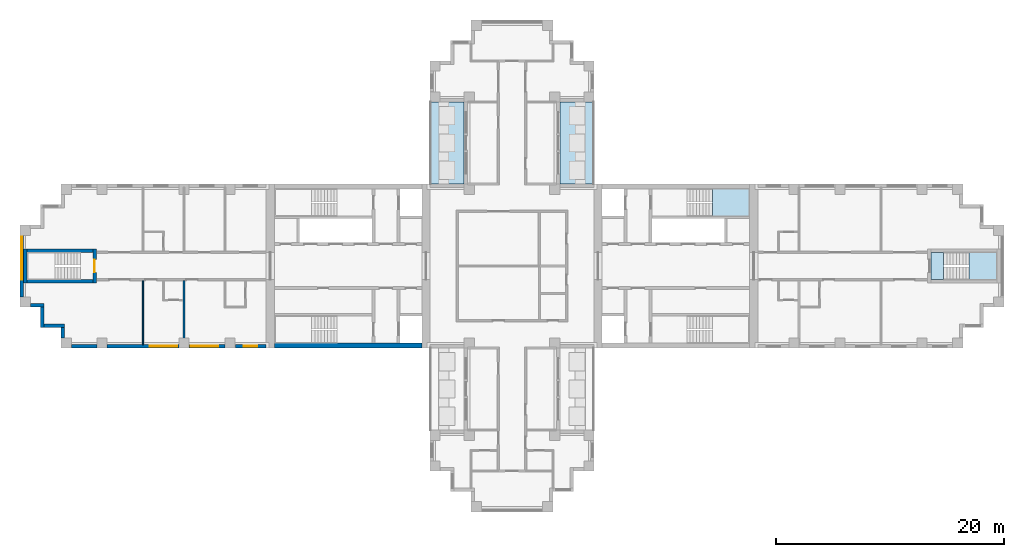
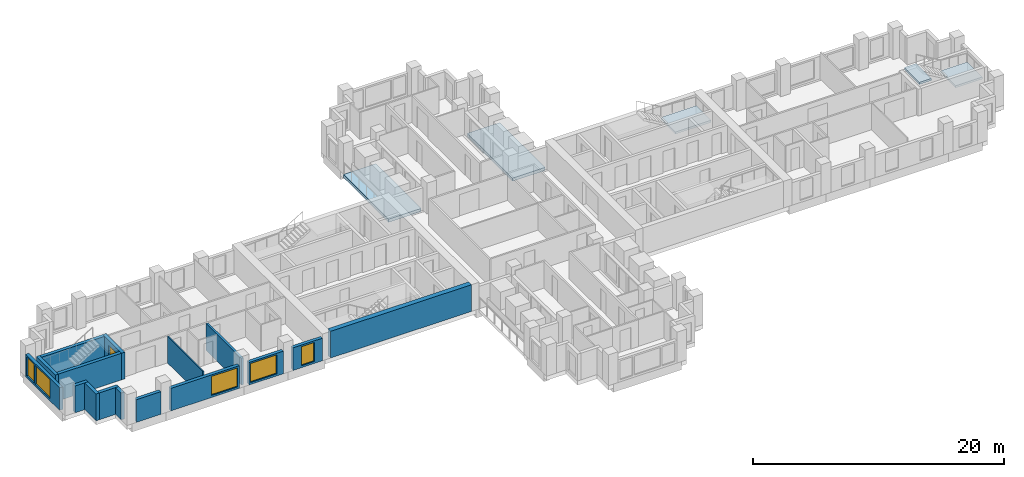
# One storey, part 2 of 12: 16 walls, 5 slabs, 5 windows, 1 door, 6 openings, 2 elements without a shape of their own.
"""IFC4 building model written with IfcOpenShell, lengths in metres."""

from ifc_helpers import new_model, si_unit, direction, frame, frame_2d, origin, place, context, subcontext, project, spatial, polyline, rectangle, outline, extrude, material, layer, layer_set, type_object, element, fill, aggregate, save


model = new_model("IFC4")

# Units and contexts
model_context = context("Model", 3, precision=1e-05, world=origin(), true_north=direction((0.0, 1.0)))
body_context = subcontext(model_context, "Body", "Model", "MODEL_VIEW")
ifc_project = project(units=[si_unit("LENGTHUNIT", "METRE"), si_unit("AREAUNIT", "SQUARE_METRE"), si_unit("VOLUMEUNIT", "CUBIC_METRE"), si_unit("PLANEANGLEUNIT", "RADIAN"), si_unit("MASSUNIT", "GRAM", prefix="KILO")], contexts=[model_context])

# Site, building, storey
site_placement = place(None, origin())
site = spatial("IfcSite", under=ifc_project, at=site_placement, CompositionType="ELEMENT")
building_placement = place(site_placement, origin())
building = spatial("IfcBuilding", under=site, at=building_placement, Name="Fustian Cross Tower", CompositionType="ELEMENT")
storey_placement = place(building_placement, frame((0.0, 0.0, 132.300048828125)))
storey = spatial("IfcBuildingStorey", under=building, at=storey_placement, Name="L41", CompositionType="ELEMENT", Elevation=132.300048828125)

# Slabs
ifc_material_1 = material(Name="Concrete C40/50", Category="concrete")
ifc_layer_1 = layer(ifc_material_1, 0.300048828125)
ifc_layer_set_1 = layer_set([ifc_layer_1], Name="Concrete C40/50")
slab_type_1 = type_object("IfcSlabType", Name="BS1 BALCONY SLAB 300", PredefinedType="FLOOR", material=ifc_layer_set_1)
slab_1_placement = place(storey_placement, frame((0.0, 0.0, -0.300048828125)))
element("IfcSlab", 1, at=slab_1_placement, inside=storey, type_object=slab_type_1, Name="Balcony slab", PredefinedType="FLOOR", context=body_context, shape_type="SweptSolid", body=[
    extrude(outline(polyline([(4.199951171875, 7.199951171875), (7.199951171875, 7.199951171875), (7.199951171875, 14.39990234375), (4.199951171875, 14.39990234375), (4.199951171875, 7.199951171875)])), origin(), (0.0, 0.0, 1.0), 0.300048828125),
])
slab_2_placement = place(storey_placement, frame((0.0, 0.0, -0.300048828125)))
element("IfcSlab", 2, at=slab_2_placement, inside=storey, type_object=slab_type_1, Name="Balcony slab", PredefinedType="FLOOR", context=body_context, shape_type="SweptSolid", body=[
    extrude(outline(polyline([(-7.199951171875, 7.199951171875), (-4.199951171875, 7.199951171875), (-4.199951171875, 14.39990234375), (-7.199951171875, 14.39990234375), (-7.199951171875, 7.199951171875)])), origin(), (0.0, 0.0, 1.0), 0.300048828125),
])

# Stair, slab
ifc_material_2 = material(Name="Concrete C50/60", Category="concrete")
stair_type_1 = type_object("IfcStairType", Name="STAIR 1150 HALF TURN", PredefinedType="HALF_TURN_STAIR", material=ifc_material_2)
stair_1_placement = place(storey_placement, origin())
stair_1 = element("IfcStair", 3, at=stair_1_placement, inside=storey, type_object=stair_type_1, Name="Stair ST1", PredefinedType="HALF_TURN_STAIR")
ifc_material_3 = material(Name="Concrete C50/60", Category="concrete")
ifc_layer_2 = layer(ifc_material_3, 0.199951171875)
ifc_layer_set_2 = layer_set([ifc_layer_2], Name="Concrete C50/60")
slab_type_2 = type_object("IfcSlabType", Name="STAIR LANDING", PredefinedType="LANDING", material=ifc_layer_set_2)
slab_3_placement = place(storey_placement, frame((0.0, 0.0, 1.300048828125)))
slab_3 = element("IfcSlab", 4, at=slab_3_placement, type_object=slab_type_2, Name="ST1 landing 1", PredefinedType="LANDING", context=body_context, shape_type="SweptSolid", body=[
    extrude(outline(polyline([(17.590087890625, 4.39990234375), (20.85009765625, 4.39990234375), (20.85009765625, 6.75), (17.590087890625, 6.75), (17.590087890625, 4.39990234375)])), origin(), (0.0, 0.0, 1.0), 0.199951171875),
])
aggregate(stair_1, [slab_3])

# Stair, slabs
ifc_material_4 = material(Name="Concrete C50/60", Category="concrete")
stair_type_2 = type_object("IfcStairType", Name="STAIR 1100 HALF TURN", PredefinedType="HALF_TURN_STAIR", material=ifc_material_4)
stair_2_placement = place(storey_placement, origin())
stair_2 = element("IfcStair", 5, at=stair_2_placement, inside=storey, type_object=stair_type_2, Name="Stair ST8", PredefinedType="HALF_TURN_STAIR")
slab_4_placement = place(storey_placement, frame((0.0, 0.0, 1.300048828125)))
slab_4 = element("IfcSlab", 6, at=slab_4_placement, type_object=slab_type_2, Name="ST8 landing 1", PredefinedType="LANDING", context=body_context, shape_type="SweptSolid", body=[
    extrude(outline(polyline([(40.139892578125, -1.199951171875), (42.60009765625, -1.199951171875), (42.60009765625, 1.199951171875), (40.139892578125, 1.199951171875), (40.139892578125, -1.199951171875)])), origin(), (0.0, 0.0, 1.0), 0.199951171875),
])
slab_5_placement = place(storey_placement, frame((0.0, 0.0, 2.800048828125)))
slab_5 = element("IfcSlab", 7, at=slab_5_placement, type_object=slab_type_2, Name="ST8 landing 2", PredefinedType="LANDING", context=body_context, shape_type="SweptSolid", body=[
    extrude(outline(polyline([(36.800048828125, -1.199951171875), (37.89990234375, -1.199951171875), (37.89990234375, 1.199951171875), (36.800048828125, 1.199951171875), (36.800048828125, -1.199951171875)])), origin(), (0.0, 0.0, 1.0), 0.199951171875),
])
aggregate(stair_2, [slab_4, slab_5])

# Walls
ifc_material_5 = material(Name="Concrete C60/75", Category="concrete")
ifc_layer_3 = layer(ifc_material_5, 0.449951171875)
ifc_layer_set_3 = layer_set([ifc_layer_3], Name="Concrete C60/75")
wall_type_1 = type_object("IfcWallType", Name="CORE FACADE WALL 450 C60/75", PredefinedType="SHEAR", material=ifc_layer_set_3)
wall_1_placement = place(storey_placement, frame((-7.89990234375, -6.97509765625, 0.0), z_axis=(0.0, 0.0, 1.0), x_axis=(-1.0, 0.0, 0.0)))
element("IfcWall", 8, at=wall_1_placement, inside=storey, type_object=wall_type_1, Name="Core facade wall", PredefinedType="SHEAR", context=body_context, shape_type="SweptSolid", body=[
    extrude(rectangle(XDim=12.9501953125, YDim=0.449951171875, at=frame_2d((6.47509765625, 0.0))), origin(), (0.0, 0.0, 1.0), 2.599853515625),
])
ifc_material_6 = material(Name="Plasterboard on steel stud", Category="steel")
ifc_layer_4 = layer(ifc_material_6, 0.10009765625)
ifc_layer_set_4 = layer_set([ifc_layer_4], Name="Plasterboard on steel stud")
wall_type_2 = type_object("IfcWallType", Name="PARTITION 100 STUD", PredefinedType="PARTITIONING", material=ifc_layer_set_4)
wall_2_placement = place(storey_placement, frame((-32.39990234375, -6.89990234375, 0.0), z_axis=(0.0, 0.0, 1.0), x_axis=(0.0, 1.0, 0.0)))
element("IfcWall", 9, at=wall_2_placement, inside=storey, type_object=wall_type_2, Name="Partition 3", PredefinedType="PARTITIONING", context=body_context, shape_type="SweptSolid", body=[
    extrude(rectangle(XDim=5.625, YDim=0.10009765625, at=frame_2d((2.8125, 0.0))), origin(), (0.0, 0.0, 1.0), 2.599853515625),
])
ifc_material_7 = material(Name="Plasterboard on steel stud", Category="steel")
ifc_layer_5 = layer(ifc_material_7, 0.199951171875)
ifc_layer_set_5 = layer_set([ifc_layer_5], Name="Plasterboard on steel stud")
wall_type_3 = type_object("IfcWallType", Name="PARTY WALL 200 EI 60", PredefinedType="PARTITIONING", material=ifc_layer_set_5)
wall_3_placement = place(storey_placement, frame((-28.800048828125, -6.89990234375, 0.0), z_axis=(0.0, 0.0, 1.0), x_axis=(0.0, 1.0, 0.0)))
element("IfcWall", 10, at=wall_3_placement, inside=storey, type_object=wall_type_3, Name="Partition 10", PredefinedType="PARTITIONING", context=body_context, shape_type="SweptSolid", body=[
    extrude(rectangle(XDim=5.625, YDim=0.199951171875, at=frame_2d((2.8125, 0.0))), origin(), (0.0, 0.0, 1.0), 2.599853515625),
])

# Wall, opening, door
ifc_material_8 = material(Name="Concrete C50/60", Category="concrete")
ifc_layer_6 = layer(ifc_material_8, 0.300048828125)
ifc_layer_set_6 = layer_set([ifc_layer_6], Name="Concrete C50/60")
wall_type_4 = type_object("IfcWallType", Name="STAIR ENCLOSURE WALL 300 C50/60", PredefinedType="SHEAR", material=ifc_layer_set_6)
wall_4_placement = place(storey_placement, frame((-36.64990234375, -1.5, 0.0), z_axis=(0.0, 0.0, 1.0), x_axis=(0.0, 1.0, 0.0)))
wall_4 = element("IfcWall", 11, at=wall_4_placement, inside=storey, type_object=wall_type_4, Name="Stair enclosure wall", PredefinedType="SHEAR", context=body_context, shape_type="SweptSolid", body=[
    extrude(rectangle(XDim=3.0, YDim=0.300048828125, at=frame_2d((1.5, 0.0))), origin(), (0.0, 0.0, 1.0), 2.599853515625),
])
opening_1_placement = place(wall_4_placement, frame((0.949951171875, 0.0, 0.0)))
opening_1 = element("IfcOpeningElement", 12, at=opening_1_placement, cuts=wall_4, Name="Opening CD-17-32", PredefinedType="OPENING", context=body_context, shape_type="SweptSolid", body=[
    extrude(rectangle(XDim=1.10009765625, YDim=2.10009765625, at=frame_2d((0.550048828125, 1.050048828125))), frame((0.0, 0.159912109375, 0.0), z_axis=(0.0, -1.0, 0.0), x_axis=(1.0, 0.0, 0.0)), (0.0, 0.0, 1.0), 0.320068359375),
])
ifc_material_9 = material(Name="Steel", Category="steel")
door_type = type_object("IfcDoorType", Name="FIRE DOOR FD60S 1100X2100", OperationType="SINGLE_SWING_LEFT", PredefinedType="DOOR", material=ifc_material_9)
door_placement = place(opening_1_placement, origin())
door = element("IfcDoor", 13, at=door_placement, inside=storey, type_object=door_type, Name="Core door CD-17-32", OperationType="SINGLE_SWING_LEFT", OverallHeight=2.10009765625, OverallWidth=1.10009765625, PredefinedType="DOOR", context=body_context, shape_type="SweptSolid", body=[
    extrude(rectangle(XDim=1.10009765625, YDim=2.10009765625, at=frame_2d((0.550048828125, 1.050048828125))), frame((0.0, 0.02490234375, 0.0), z_axis=(0.0, -1.0, 0.0), x_axis=(1.0, 0.0, 0.0)), (0.0, 0.0, 1.0), 0.050048828125),
])
fill(opening_1, door)

# Walls
wall_5_placement = place(storey_placement, frame((-42.75, -1.5, 0.0), z_axis=(0.0, 0.0, 1.0), x_axis=(0.0, 1.0, 0.0)))
element("IfcWall", 14, at=wall_5_placement, inside=storey, type_object=wall_type_4, Name="Stair enclosure wall", PredefinedType="SHEAR", context=body_context, shape_type="SweptSolid", body=[
    extrude(rectangle(XDim=3.0, YDim=0.300048828125, at=frame_2d((1.5, 0.0))), origin(), (0.0, 0.0, 1.0), 2.599853515625),
])
for number, where, z_axis, x_axis, name in (
    (15, (-36.800048828125, -1.35009765625, 0.0), (0.0, 0.0, 1.0), (-1.0, 0.0, 0.0), "Stair enclosure wall"),
    (16, (-36.800048828125, 1.35009765625, 0.0), (0.0, 0.0, 1.0), (-1.0, 0.0, 0.0), "Stair enclosure wall"),
):
    element("IfcWall", number, at=place(storey_placement, frame(where, z_axis=z_axis, x_axis=x_axis)), inside=storey, type_object=wall_type_4, Name=name, PredefinedType="SHEAR", context=body_context, shape_type="SweptSolid", body=[
        extrude(rectangle(XDim=5.800048828125, YDim=0.300048828125, at=frame_2d((2.89990234375, 0.0))), origin(), (0.0, 0.0, 1.0), 2.599853515625),
    ])

# Wall, openings, windows
ifc_material_10 = material(Name="Dark aluminium cladding on insulated backing wall", Category="aluminium")
ifc_layer_7 = layer(ifc_material_10, 0.300048828125)
ifc_layer_set_7 = layer_set([ifc_layer_7], Name="Dark aluminium cladding on insulated backing wall")
wall_type_5 = type_object("IfcWallType", Name="XW1 EXTERNAL WALL 300", PredefinedType="SOLIDWALL", material=ifc_layer_set_7)
wall_6_placement = place(storey_placement, frame((-43.050048828125, 2.699951171875, 0.0), z_axis=(0.0, 0.0, 1.0), x_axis=(0.0, -1.0, 0.0)))
wall_6 = element("IfcWall", 17, at=wall_6_placement, inside=storey, type_object=wall_type_5, Name="External wall", PredefinedType="SOLIDWALL", context=body_context, shape_type="SweptSolid", body=[
    extrude(rectangle(XDim=5.39990234375, YDim=0.300048828125, at=frame_2d((2.699951171875, 0.0))), origin(), (0.0, 0.0, 1.0), 2.199951171875),
])
opening_2_placement = place(wall_6_placement, frame((1.5, 0.0, 0.199951171875)))
opening_2 = element("IfcOpeningElement", 18, at=opening_2_placement, cuts=wall_6, Name="Opening WN1", PredefinedType="OPENING", context=body_context, shape_type="SweptSolid", body=[
    extrude(rectangle(XDim=2.39990234375, YDim=1.85009765625, at=frame_2d((1.199951171875, 0.925048828125))), frame((0.0, 0.159912109375, 0.0), z_axis=(0.0, -1.0, 0.0), x_axis=(1.0, 0.0, 0.0)), (0.0, 0.0, 1.0), 0.320068359375),
])
opening_3_placement = place(wall_6_placement, frame((0.14990234375, 0.0, 0.199951171875)))
opening_3 = element("IfcOpeningElement", 19, at=opening_3_placement, cuts=wall_6, Name="Opening WN3", PredefinedType="OPENING", context=body_context, shape_type="SweptSolid", body=[
    extrude(rectangle(XDim=1.199951171875, YDim=1.85009765625, at=frame_2d((0.60009765625, 0.925048828125))), frame((0.0, 0.159912109375, 0.0), z_axis=(0.0, -1.0, 0.0), x_axis=(1.0, 0.0, 0.0)), (0.0, 0.0, 1.0), 0.320068359375),
])
ifc_material_11 = material(Name="Dark anodised aluminium and double glazing", Category="aluminium")
window_type_1 = type_object("IfcWindowType", Name="WN1 WINDOW 2400X1850", PartitioningType="SINGLE_PANEL", PredefinedType="WINDOW", material=ifc_material_11)
window_1_placement = place(opening_2_placement, origin())
window_1 = element("IfcWindow", 20, at=window_1_placement, inside=storey, type_object=window_type_1, Name="Window", OverallHeight=1.85009765625, OverallWidth=2.39990234375, PartitioningType="SINGLE_PANEL", PredefinedType="WINDOW", context=body_context, shape_type="SweptSolid", body=[
    extrude(rectangle(XDim=2.39990234375, YDim=1.85009765625, at=frame_2d((1.199951171875, 0.925048828125))), frame((0.0, 0.030029296875, 0.0), z_axis=(0.0, -1.0, 0.0), x_axis=(1.0, 0.0, 0.0)), (0.0, 0.0, 1.0), 0.06005859375),
])
fill(opening_2, window_1)
ifc_material_12 = material(Name="Dark anodised aluminium and double glazing", Category="aluminium")
window_type_2 = type_object("IfcWindowType", Name="WN3 WINDOW 1200X1850", PartitioningType="SINGLE_PANEL", PredefinedType="WINDOW", material=ifc_material_12)
window_2_placement = place(opening_3_placement, origin())
window_2 = element("IfcWindow", 21, at=window_2_placement, inside=storey, type_object=window_type_2, Name="Window", OverallHeight=1.85009765625, OverallWidth=1.199951171875, PartitioningType="SINGLE_PANEL", PredefinedType="WINDOW", context=body_context, shape_type="SweptSolid", body=[
    extrude(rectangle(XDim=1.199951171875, YDim=1.85009765625, at=frame_2d((0.60009765625, 0.925048828125))), frame((0.0, 0.030029296875, 0.0), z_axis=(0.0, -1.0, 0.0), x_axis=(1.0, 0.0, 0.0)), (0.0, 0.0, 1.0), 0.06005859375),
])
fill(opening_3, window_2)

# Walls
wall_7_placement = place(storey_placement, frame((-42.300048828125, -3.449951171875, 0.0), z_axis=(0.0, 0.0, 1.0), x_axis=(1.0, 0.0, 0.0)))
element("IfcWall", 22, at=wall_7_placement, inside=storey, type_object=wall_type_5, Name="External wall", PredefinedType="SOLIDWALL", context=body_context, shape_type="SweptSolid", body=[
    extrude(rectangle(XDim=1.199951171875, YDim=0.300048828125, at=frame_2d((0.60009765625, 0.0))), origin(), (0.0, 0.0, 1.0), 2.599853515625),
])
wall_8_placement = place(storey_placement, frame((-41.25, -3.60009765625, 0.0), z_axis=(0.0, 0.0, 1.0), x_axis=(0.0, -1.0, 0.0)))
element("IfcWall", 23, at=wall_8_placement, inside=storey, type_object=wall_type_5, Name="External wall", PredefinedType="SOLIDWALL", context=body_context, shape_type="SweptSolid", body=[
    extrude(rectangle(XDim=1.7998046875, YDim=0.300048828125, at=frame_2d((0.89990234375, 0.0))), origin(), (0.0, 0.0, 1.0), 2.599853515625),
])
wall_9_placement = place(storey_placement, frame((-41.10009765625, -5.25, 0.0), z_axis=(0.0, 0.0, 1.0), x_axis=(1.0, 0.0, 0.0)))
element("IfcWall", 24, at=wall_9_placement, inside=storey, type_object=wall_type_5, Name="External wall", PredefinedType="SOLIDWALL", context=body_context, shape_type="SweptSolid", body=[
    extrude(rectangle(XDim=1.800048828125, YDim=0.300048828125, at=frame_2d((0.89990234375, 0.0))), origin(), (0.0, 0.0, 1.0), 2.599853515625),
])
wall_10_placement = place(storey_placement, frame((-39.449951171875, -5.39990234375, 0.0), z_axis=(0.0, 0.0, 1.0), x_axis=(0.0, -1.0, 0.0)))
element("IfcWall", 25, at=wall_10_placement, inside=storey, type_object=wall_type_5, Name="External wall", PredefinedType="SOLIDWALL", context=body_context, shape_type="SweptSolid", body=[
    extrude(rectangle(XDim=0.900146484375, YDim=0.300048828125, at=frame_2d((0.4501953125, 0.0))), origin(), (0.0, 0.0, 1.0), 2.599853515625),
])
wall_11_placement = place(storey_placement, frame((-38.699951171875, -7.050048828125, 0.0), z_axis=(0.0, 0.0, 1.0), x_axis=(1.0, 0.0, 0.0)))
element("IfcWall", 26, at=wall_11_placement, inside=storey, type_object=wall_type_5, Name="External wall", PredefinedType="SOLIDWALL", context=body_context, shape_type="SweptSolid", body=[
    extrude(rectangle(XDim=2.25, YDim=0.300048828125, at=frame_2d((1.125, 0.0))), origin(), (0.0, 0.0, 1.0), 2.199951171875),
])

# Wall, opening, window
wall_12_placement = place(storey_placement, frame((-35.550048828125, -7.050048828125, 0.0), z_axis=(0.0, 0.0, 1.0), x_axis=(1.0, 0.0, 0.0)))
wall_12 = element("IfcWall", 27, at=wall_12_placement, inside=storey, type_object=wall_type_5, Name="External wall", PredefinedType="SOLIDWALL", context=body_context, shape_type="SweptSolid", body=[
    extrude(rectangle(XDim=6.300048828125, YDim=0.300048828125, at=frame_2d((3.14990234375, 0.0))), origin(), (0.0, 0.0, 1.0), 2.199951171875),
])
opening_4_placement = place(wall_12_placement, frame((3.75, 0.0, 0.199951171875)))
opening_4 = element("IfcOpeningElement", 28, at=opening_4_placement, cuts=wall_12, Name="Opening WN1", PredefinedType="OPENING", context=body_context, shape_type="SweptSolid", body=[
    extrude(rectangle(XDim=2.39990234375, YDim=1.85009765625, at=frame_2d((1.199951171875, 0.925048828125))), frame((0.0, 0.159912109375, 0.0), z_axis=(0.0, -1.0, 0.0), x_axis=(1.0, 0.0, 0.0)), (0.0, 0.0, 1.0), 0.320068359375),
])
window_3_placement = place(opening_4_placement, origin())
window_3 = element("IfcWindow", 29, at=window_3_placement, inside=storey, type_object=window_type_1, Name="Window", OverallHeight=1.85009765625, OverallWidth=2.39990234375, PartitioningType="SINGLE_PANEL", PredefinedType="WINDOW", context=body_context, shape_type="SweptSolid", body=[
    extrude(rectangle(XDim=2.39990234375, YDim=1.85009765625, at=frame_2d((1.199951171875, 0.925048828125))), frame((0.0, 0.030029296875, 0.0), z_axis=(0.0, -1.0, 0.0), x_axis=(1.0, 0.0, 0.0)), (0.0, 0.0, 1.0), 0.06005859375),
])
fill(opening_4, window_3)

wall_13_placement = place(storey_placement, frame((-28.35009765625, -7.050048828125, 0.0), z_axis=(0.0, 0.0, 1.0), x_axis=(1.0, 0.0, 0.0)))
wall_13 = element("IfcWall", 30, at=wall_13_placement, inside=storey, type_object=wall_type_5, Name="External wall", PredefinedType="SOLIDWALL", context=body_context, shape_type="SweptSolid", body=[
    extrude(rectangle(XDim=3.150146484375, YDim=0.300048828125, at=frame_2d((1.5751953125, 0.0))), origin(), (0.0, 0.0, 1.0), 2.199951171875),
])
opening_5_placement = place(wall_13_placement, frame((0.14990234375, 0.0, 0.199951171875)))
opening_5 = element("IfcOpeningElement", 31, at=opening_5_placement, cuts=wall_13, Name="Opening WN1", PredefinedType="OPENING", context=body_context, shape_type="SweptSolid", body=[
    extrude(rectangle(XDim=2.39990234375, YDim=1.85009765625, at=frame_2d((1.199951171875, 0.925048828125))), frame((0.0, 0.159912109375, 0.0), z_axis=(0.0, -1.0, 0.0), x_axis=(1.0, 0.0, 0.0)), (0.0, 0.0, 1.0), 0.320068359375),
])
window_4_placement = place(opening_5_placement, origin())
window_4 = element("IfcWindow", 32, at=window_4_placement, inside=storey, type_object=window_type_1, Name="Window", OverallHeight=1.85009765625, OverallWidth=2.39990234375, PartitioningType="SINGLE_PANEL", PredefinedType="WINDOW", context=body_context, shape_type="SweptSolid", body=[
    extrude(rectangle(XDim=2.39990234375, YDim=1.85009765625, at=frame_2d((1.199951171875, 0.925048828125))), frame((0.0, 0.030029296875, 0.0), z_axis=(0.0, -1.0, 0.0), x_axis=(1.0, 0.0, 0.0)), (0.0, 0.0, 1.0), 0.06005859375),
])
fill(opening_5, window_4)

wall_14_placement = place(storey_placement, frame((-24.300048828125, -7.050048828125, 0.0), z_axis=(0.0, 0.0, 1.0), x_axis=(1.0, 0.0, 0.0)))
wall_14 = element("IfcWall", 33, at=wall_14_placement, inside=storey, type_object=wall_type_5, Name="External wall", PredefinedType="SOLIDWALL", context=body_context, shape_type="SweptSolid", body=[
    extrude(rectangle(XDim=2.699951171875, YDim=0.300048828125, at=frame_2d((1.35009765625, 0.0))), origin(), (0.0, 0.0, 1.0), 2.199951171875),
])
opening_6_placement = place(wall_14_placement, frame((0.75, 0.0, 0.199951171875)))
opening_6 = element("IfcOpeningElement", 34, at=opening_6_placement, cuts=wall_14, Name="Opening WN3", PredefinedType="OPENING", context=body_context, shape_type="SweptSolid", body=[
    extrude(rectangle(XDim=1.199951171875, YDim=1.85009765625, at=frame_2d((0.60009765625, 0.925048828125))), frame((0.0, 0.159912109375, 0.0), z_axis=(0.0, -1.0, 0.0), x_axis=(1.0, 0.0, 0.0)), (0.0, 0.0, 1.0), 0.320068359375),
])
window_5_placement = place(opening_6_placement, origin())
window_5 = element("IfcWindow", 35, at=window_5_placement, inside=storey, type_object=window_type_2, Name="Window", OverallHeight=1.85009765625, OverallWidth=1.199951171875, PartitioningType="SINGLE_PANEL", PredefinedType="WINDOW", context=body_context, shape_type="SweptSolid", body=[
    extrude(rectangle(XDim=1.199951171875, YDim=1.85009765625, at=frame_2d((0.60009765625, 0.925048828125))), frame((0.0, 0.030029296875, 0.0), z_axis=(0.0, -1.0, 0.0), x_axis=(1.0, 0.0, 0.0)), (0.0, 0.0, 1.0), 0.06005859375),
])
fill(opening_6, window_5)

save(model, "model.ifc")
